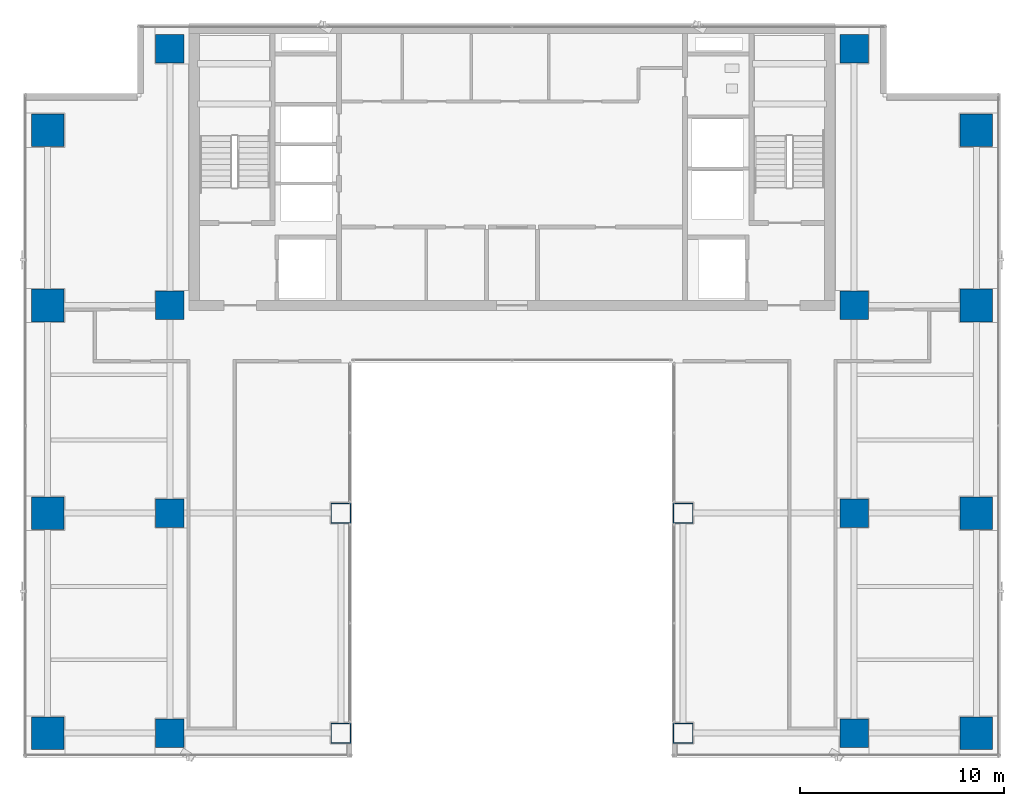
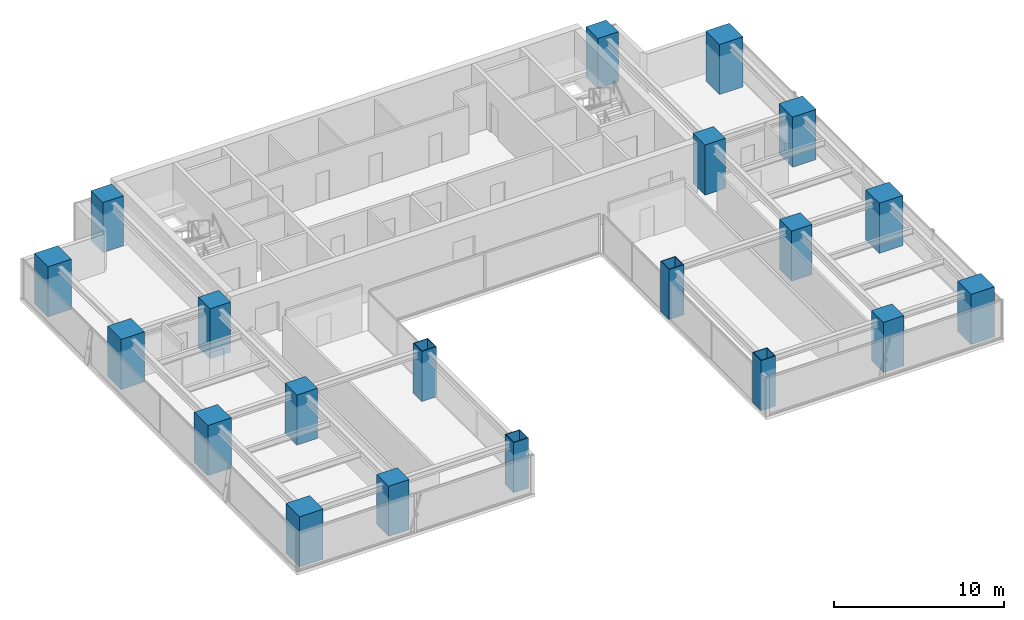
# One storey, part 1 of 29: 20 columns.
"""IFC4 building model written with IfcOpenShell, lengths in metres."""

import ifcopenshell
import ifcopenshell.guid

model = None  # the IFC model being written
_history = None  # IfcOwnerHistory: only IFC2X3 demands one
_inside = {}  # id of a spatial element -> (the spatial element, [elements in it])
_under = {}  # id of a project, library or spatial element -> (it, [spatial elements below it])
_declared = {}  # id of a project -> (the project, [libraries it declares])
_typed = {}  # id of a type object -> (the type object, [elements of that type])
_made_of = {}  # id of a material, layer set ... -> (it, [elements and type objects made of it])


def new_model(schema):
    """Start an empty IFC model of exactly this schema.

    Asked for "IFC4X3", IfcOpenShell would pick the latest addendum, in which some entities
    have other attributes; the version numbers below select the first issue.
    IFC2X3 requires an IfcOwnerHistory on every rooted entity: one is made here for all.
    """
    global model, _history
    if schema == "IFC4X3":
        model = ifcopenshell.file(schema_version=(4, 3, 0, 0))
    else:
        model = ifcopenshell.file(schema=schema)
    _inside.clear()
    _under.clear()
    _declared.clear()
    _typed.clear()
    _made_of.clear()
    _history = None
    if model.schema == "IFC2X3":
        org = make("IfcOrganization", Name="unknown")
        user = make(
            "IfcPersonAndOrganization",
            ThePerson=make("IfcPerson", FamilyName="unknown"),
            TheOrganization=org,
        )
        app = make(
            "IfcApplication",
            ApplicationDeveloper=org,
            Version="unknown",
            ApplicationFullName="unknown",
            ApplicationIdentifier="unknown",
        )
        _history = make(
            "IfcOwnerHistory",
            OwningUser=user,
            OwningApplication=app,
            ChangeAction="ADDED",
            CreationDate=0,
        )
    return model


def make(cls, **values):
    """One entity of the class cls with the attributes given. An attribute that is None is left unset."""
    return model.create_entity(
        cls, **{name: value for name, value in values.items() if value is not None}
    )


def rooted(cls, **values):
    """An entity with a GlobalId (a new one), such as an element, a storey or a relation."""
    return make(cls, GlobalId=ifcopenshell.guid.new(), OwnerHistory=_history, **values)


def si_unit(unit_type, name, prefix=None):
    """IfcSIUnit, for example si_unit("LENGTHUNIT", "METRE", prefix="MILLI")."""
    return make("IfcSIUnit", UnitType=unit_type, Prefix=prefix, Name=name)


def assignment(units):
    """IfcUnitAssignment: the units of a project."""
    return None if units is None else make("IfcUnitAssignment", Units=units)


def point(xyz):
    """IfcCartesianPoint."""
    return None if xyz is None else make("IfcCartesianPoint", Coordinates=xyz)


def direction(xyz):
    """IfcDirection."""
    return None if xyz is None else make("IfcDirection", DirectionRatios=xyz)


def frame(location, z_axis=None, x_axis=None):
    """IfcAxis2Placement3D, a coordinate frame: its origin and axes. An axis left out is left unset."""
    return make(
        "IfcAxis2Placement3D",
        Location=point(location),
        Axis=direction(z_axis),
        RefDirection=direction(x_axis),
    )


def frame_2d(location, x_axis=None):
    """IfcAxis2Placement2D, a coordinate frame in the plane: its origin and x axis."""
    return make(
        "IfcAxis2Placement2D", Location=point(location), RefDirection=direction(x_axis)
    )


def origin():
    """The frame at (0, 0, 0) with its axes left unset."""
    return frame((0.0, 0.0, 0.0))


def origin_2d():
    """The frame at (0, 0) in the plane with its x axis left unset."""
    return frame_2d((0.0, 0.0))


def place(relative_to, where):
    """IfcLocalPlacement: puts the frame where relative to a parent placement (None: the world)."""
    return make(
        "IfcLocalPlacement", PlacementRelTo=relative_to, RelativePlacement=where
    )


def context(
    kind, dimensions, precision=None, world=None, true_north=None, identifier=None
):
    """IfcGeometricRepresentationContext, for example the 3D "Model" context."""
    return make(
        "IfcGeometricRepresentationContext",
        ContextIdentifier=identifier,
        ContextType=kind,
        CoordinateSpaceDimension=dimensions,
        Precision=precision,
        WorldCoordinateSystem=world,
        TrueNorth=true_north,
    )


def subcontext(parent, identifier, kind, view, scale=None):
    """IfcGeometricRepresentationSubContext, for example "Body" below "Model"."""
    return make(
        "IfcGeometricRepresentationSubContext",
        ContextIdentifier=identifier,
        ContextType=kind,
        ParentContext=parent,
        TargetScale=scale,
        TargetView=view,
    )


def project(units=None, contexts=None):
    """IfcProject with its units and contexts."""
    return rooted(
        "IfcProject",
        Name="project",
        RepresentationContexts=contexts,
        UnitsInContext=assignment(units),
    )


def spatial(cls, under=None, at=None, **own):
    """A site, building, storey or space (cls), placed at a placement, below another one or the project."""
    s = rooted(cls, ObjectPlacement=at, **own)
    if under is not None:
        _under.setdefault(under.id(), (under, []))[1].append(s)
    return s


def profile(cls, at=None, kind="AREA", **sizes):
    """A parametric profile (cls). Its sizes go by their IFC names, for example OverallWidth=200.0."""
    return make(cls, ProfileType=kind, Position=at, **sizes)


def rectangle(**sizes):
    """IfcRectangleProfileDef."""
    return profile("IfcRectangleProfileDef", **sizes)


def hollow_rectangle(**sizes):
    """IfcRectangleHollowProfileDef."""
    return profile("IfcRectangleHollowProfileDef", **sizes)


def extrude(swept, where, along, depth):
    """IfcExtrudedAreaSolid: the profile swept, set in the frame where, extruded along a direction by depth."""
    return make(
        "IfcExtrudedAreaSolid",
        SweptArea=swept,
        Position=where,
        ExtrudedDirection=direction(along),
        Depth=depth,
    )


def shape(context_of_items, identifier, shape_type, items):
    """IfcShapeRepresentation: the items that make up one representation, for example the "Body"."""
    return make(
        "IfcShapeRepresentation",
        ContextOfItems=context_of_items,
        RepresentationIdentifier=identifier,
        RepresentationType=shape_type,
        Items=items,
    )


def source(mapping_origin, context_of_items, identifier, shape_type, items):
    """IfcRepresentationMap: a shape defined once, which mapped items show again and again."""
    return make(
        "IfcRepresentationMap",
        MappingOrigin=mapping_origin,
        MappedRepresentation=shape(context_of_items, identifier, shape_type, items),
    )


def transform(
    local_origin,
    x_axis=None,
    y_axis=None,
    z_axis=None,
    scale=None,
    scale2=None,
    scale3=None,
    uniform=True,
):
    """IfcCartesianTransformationOperator3D, or its non-uniform kind. x_axis, y_axis, z_axis: its Axis1, 2, 3."""
    if uniform:
        return make(
            "IfcCartesianTransformationOperator3D",
            Axis1=direction(x_axis),
            Axis2=direction(y_axis),
            LocalOrigin=point(local_origin),
            Scale=scale,
            Axis3=direction(z_axis),
        )
    return make(
        "IfcCartesianTransformationOperator3DnonUniform",
        Axis1=direction(x_axis),
        Axis2=direction(y_axis),
        LocalOrigin=point(local_origin),
        Scale=scale,
        Axis3=direction(z_axis),
        Scale2=scale2,
        Scale3=scale3,
    )


def mapped(mapping_source, mapping_target):
    """IfcMappedItem: shows the shape of a source again, moved by a transform."""
    return make(
        "IfcMappedItem", MappingSource=mapping_source, MappingTarget=mapping_target
    )


def material(Name=None, Category=None):
    """IfcMaterial."""
    return make("IfcMaterial", Name=Name, Category=Category)


def material_profile(
    of_material, cross_section, Name=None, Category=None, Priority=None
):
    """IfcMaterialProfile: a cross section and its material."""
    return make(
        "IfcMaterialProfile",
        Name=Name,
        Material=of_material,
        Profile=cross_section,
        Priority=Priority,
        Category=Category,
    )


def profile_set(profiles, Name=None, composite=None):
    """IfcMaterialProfileSet."""
    return make(
        "IfcMaterialProfileSet",
        Name=Name,
        MaterialProfiles=profiles,
        CompositeProfile=composite,
    )


def made_of(thing, what):
    """Note that an element or type object is made of a material, layer set ...; save() writes the relation."""
    if what is not None:
        _made_of.setdefault(what.id(), (what, []))[1].append(thing)
    return thing


def type_object(cls, material=None, **own):
    """A type object (cls), such as IfcWallType, which elements share."""
    return made_of(rooted(cls, **own), material)


def element(
    cls,
    number,
    at=None,
    inside=None,
    cuts=None,
    type_object=None,
    material=None,
    context=None,
    identifier="Body",
    shape_type=None,
    held_by="IfcProductDefinitionShape",
    body=None,
    shapes=None,
    **own,
):
    """One element of the class cls, such as IfcWall. Its Tag is "e" and its number.

    at: its placement. inside: the storey or other place that contains it. cuts: it is an
    opening in that element (IfcRelVoidsElement). A single representation is given by context,
    identifier, shape_type and body (its items); several are given by shapes. held_by: the class
    of the entity that holds the representations. save() writes the other relations.
    """
    e = rooted(cls, Tag="e%d" % number, ObjectPlacement=at, **own)
    if body is not None:
        shapes = [shape(context, identifier, shape_type, body)]
    if shapes is not None:
        e.Representation = make(held_by, Representations=shapes)
    if inside is not None:
        _inside.setdefault(inside.id(), (inside, []))[1].append(e)
    if cuts is not None:
        rooted(
            "IfcRelVoidsElement", RelatingBuildingElement=cuts, RelatedOpeningElement=e
        )
    if type_object is not None:
        _typed.setdefault(type_object.id(), (type_object, []))[1].append(e)
    return made_of(e, material)


def aggregate(whole, parts):
    """IfcRelAggregates: a whole, such as a stair, and the parts it consists of."""
    return rooted("IfcRelAggregates", RelatingObject=whole, RelatedObjects=parts)


def save(model, path):
    """Write the relations noted so far, then the file.

    IfcRelAggregates (storeys below a building ...), IfcRelContainedInSpatialStructure (elements
    in a storey), IfcRelDefinesByType, IfcRelAssociatesMaterial and IfcRelDeclares: one each for
    every whole, place, type object, material and project.
    """
    for whole, parts in _under.values():
        aggregate(whole, parts)
    for where, things in _inside.values():
        rooted(
            "IfcRelContainedInSpatialStructure",
            RelatedElements=things,
            RelatingStructure=where,
        )
    for kind, things in _typed.values():
        rooted("IfcRelDefinesByType", RelatedObjects=things, RelatingType=kind)
    for what, things in _made_of.values():
        rooted("IfcRelAssociatesMaterial", RelatedObjects=things, RelatingMaterial=what)
    for by, libraries in _declared.values():
        rooted("IfcRelDeclares", RelatingContext=by, RelatedDefinitions=libraries)
    model.write(path)


model = new_model("IFC4")

# Units and contexts
model_context = context("Model", 3, precision=1e-05, world=origin(), true_north=direction((0.0, 1.0)))
body_context = subcontext(model_context, "Body", "Model", "MODEL_VIEW")
ifc_project = project(units=[si_unit("LENGTHUNIT", "METRE"), si_unit("AREAUNIT", "SQUARE_METRE"), si_unit("VOLUMEUNIT", "CUBIC_METRE"), si_unit("PLANEANGLEUNIT", "RADIAN"), si_unit("MASSUNIT", "GRAM", prefix="KILO")], contexts=[model_context])

# Site, building, storey
site_placement = place(None, origin())
site = spatial("IfcSite", under=ifc_project, at=site_placement, CompositionType="ELEMENT")
building_placement = place(site_placement, origin())
building = spatial("IfcBuilding", under=site, at=building_placement, Name="Sumidabori Civic Tower", CompositionType="ELEMENT")
storey_placement = place(building_placement, frame((0.0, 0.0, 207.199951171875)))
storey = spatial("IfcBuildingStorey", under=building, at=storey_placement, Name="L53", CompositionType="ELEMENT", Elevation=207.199951171875)

# Columns
ifc_material_1 = material(Name="Concrete C60/75", Category="concrete")
ifc_material_profile_1 = material_profile(ifc_material_1, rectangle(XDim=1.60009765625, YDim=1.60009765625, at=origin_2d()), Name="RC 1600x1600")
ifc_profile_set_1 = profile_set([ifc_material_profile_1], Name="Concrete C60/75")
column_type_1 = type_object("IfcColumnType", Name="CL-MEGA-1600", PredefinedType="COLUMN", material=ifc_profile_set_1)
shared_shape_1 = source(origin(), body_context, "Body", "SweptSolid", [
    extrude(rectangle(XDim=1.60009765625, YDim=1.60009765625, at=origin_2d()), origin(), (0.0, 0.0, 1.0), 3.60009765625),
])
for number, where, z_axis, x_axis, name in (
    (1, (-22.800048828125, -10.800048828125, 0.0), (0.0, 0.0, 1.0), (1.0, 0.0, 0.0), "Column MC-W23-Y11S L53"),
    (2, (-22.800048828125, 0.0, 0.0), (0.0, 0.0, 1.0), (1.0, 0.0, 0.0), "Column MC-W23-Y00 L53"),
    (3, (-22.800048828125, 10.199951171875, 0.0), (0.0, 0.0, 1.0), (1.0, 0.0, 0.0), "Column MC-W23-Y10N L53"),
    (4, (-22.800048828125, 18.800048828125, 0.0), (0.0, 0.0, 1.0), (1.0, 0.0, 0.0), "Column MC-W23-Y19N L53"),
    (5, (22.800048828125, -10.800048828125, 0.0), (0.0, 0.0, 1.0), (1.0, 0.0, 0.0), "Column MC-E23-Y11S L53"),
    (6, (22.800048828125, 0.0, 0.0), (0.0, 0.0, 1.0), (1.0, 0.0, 0.0), "Column MC-E23-Y00 L53"),
    (7, (22.800048828125, 10.199951171875, 0.0), (0.0, 0.0, 1.0), (1.0, 0.0, 0.0), "Column MC-E23-Y10N L53"),
    (8, (22.800048828125, 18.800048828125, 0.0), (0.0, 0.0, 1.0), (1.0, 0.0, 0.0), "Column MC-E23-Y19N L53"),
):
    element("IfcColumn", number, at=place(storey_placement, frame(where, z_axis=z_axis, x_axis=x_axis)), inside=storey, type_object=column_type_1, Name=name, PredefinedType="COLUMN", context=body_context, shape_type="MappedRepresentation", body=[
        mapped(shared_shape_1, transform((0.0, 0.0, 0.0), x_axis=(1.0, 0.0, 0.0), y_axis=(0.0, 1.0, 0.0), z_axis=(0.0, 0.0, 1.0), scale=1.0)),
    ])
ifc_material_2 = material(Name="Steel SM570", Category="steel")
ifc_material_profile_2 = material_profile(ifc_material_2, hollow_rectangle(XDim=1.0, YDim=1.0, WallThickness=0.044921875, at=origin_2d()), Name="SHS 1000x1000x45")
ifc_profile_set_2 = profile_set([ifc_material_profile_2], Name="Steel SM570")
column_type_2 = type_object("IfcColumnType", Name="CL-PORTAL-SHS1000", PredefinedType="COLUMN", material=ifc_profile_set_2)
shared_shape_2 = source(origin(), body_context, "Body", "SweptSolid", [
    extrude(hollow_rectangle(XDim=1.0, YDim=1.0, WallThickness=0.044921875, at=origin_2d()), origin(), (0.0, 0.0, 1.0), 3.60009765625),
])
for number, where, z_axis, x_axis, name in (
    (9, (-8.39990234375, 0.0, 0.0), (0.0, 0.0, 1.0), (1.0, 0.0, 0.0), "Column MC-W08-Y00 L53"),
    (10, (-8.39990234375, -10.800048828125, 0.0), (0.0, 0.0, 1.0), (1.0, 0.0, 0.0), "Column MC-W08-Y11S L53"),
    (11, (8.39990234375, 0.0, 0.0), (0.0, 0.0, 1.0), (1.0, 0.0, 0.0), "Column MC-E08-Y00 L53"),
    (12, (8.39990234375, -10.800048828125, 0.0), (0.0, 0.0, 1.0), (1.0, 0.0, 0.0), "Column MC-E08-Y11S L53"),
):
    element("IfcColumn", number, at=place(storey_placement, frame(where, z_axis=z_axis, x_axis=x_axis)), inside=storey, type_object=column_type_2, Name=name, PredefinedType="COLUMN", context=body_context, shape_type="MappedRepresentation", body=[
        mapped(shared_shape_2, transform((0.0, 0.0, 0.0), x_axis=(1.0, 0.0, 0.0), y_axis=(0.0, 1.0, 0.0), z_axis=(0.0, 0.0, 1.0), scale=1.0)),
    ])
ifc_material_profile_3 = material_profile(ifc_material_1, rectangle(XDim=1.39990234375, YDim=1.39990234375, at=origin_2d()), Name="RC 1400x1400")
ifc_profile_set_3 = profile_set([ifc_material_profile_3], Name="Concrete C60/75")
column_type_3 = type_object("IfcColumnType", Name="CL-MEGA-1400", PredefinedType="COLUMN", material=ifc_profile_set_3)
shared_shape_3 = source(origin(), body_context, "Body", "SweptSolid", [
    extrude(rectangle(XDim=1.39990234375, YDim=1.39990234375, at=origin_2d()), origin(), (0.0, 0.0, 1.0), 3.60009765625),
])
for number, where, z_axis, x_axis, name in (
    (13, (-16.800048828125, -10.800048828125, 0.0), (0.0, 0.0, 1.0), (1.0, 0.0, 0.0), "Column MC-W16-Y11S L53"),
    (14, (-16.800048828125, 0.0, 0.0), (0.0, 0.0, 1.0), (1.0, 0.0, 0.0), "Column MC-W16-Y00 L53"),
    (15, (-16.800048828125, 10.199951171875, 0.0), (0.0, 0.0, 1.0), (1.0, 0.0, 0.0), "Column MC-W16-Y10N L53"),
    (16, (-16.800048828125, 22.800048828125, 0.0), (0.0, 0.0, 1.0), (1.0, 0.0, 0.0), "Column MC-W16-Y23N L53"),
    (17, (16.800048828125, -10.800048828125, 0.0), (0.0, 0.0, 1.0), (1.0, 0.0, 0.0), "Column MC-E16-Y11S L53"),
    (18, (16.800048828125, 0.0, 0.0), (0.0, 0.0, 1.0), (1.0, 0.0, 0.0), "Column MC-E16-Y00 L53"),
    (19, (16.800048828125, 10.199951171875, 0.0), (0.0, 0.0, 1.0), (1.0, 0.0, 0.0), "Column MC-E16-Y10N L53"),
    (20, (16.800048828125, 22.800048828125, 0.0), (0.0, 0.0, 1.0), (1.0, 0.0, 0.0), "Column MC-E16-Y23N L53"),
):
    element("IfcColumn", number, at=place(storey_placement, frame(where, z_axis=z_axis, x_axis=x_axis)), inside=storey, type_object=column_type_3, Name=name, PredefinedType="COLUMN", context=body_context, shape_type="MappedRepresentation", body=[
        mapped(shared_shape_3, transform((0.0, 0.0, 0.0), x_axis=(1.0, 0.0, 0.0), y_axis=(0.0, 1.0, 0.0), z_axis=(0.0, 0.0, 1.0), scale=1.0)),
    ])

save(model, "model.ifc")
